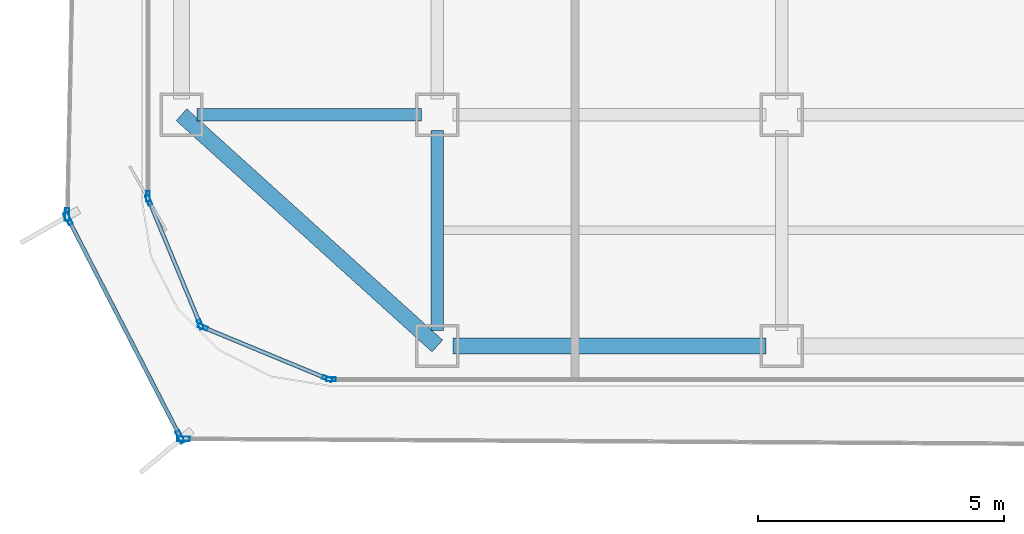
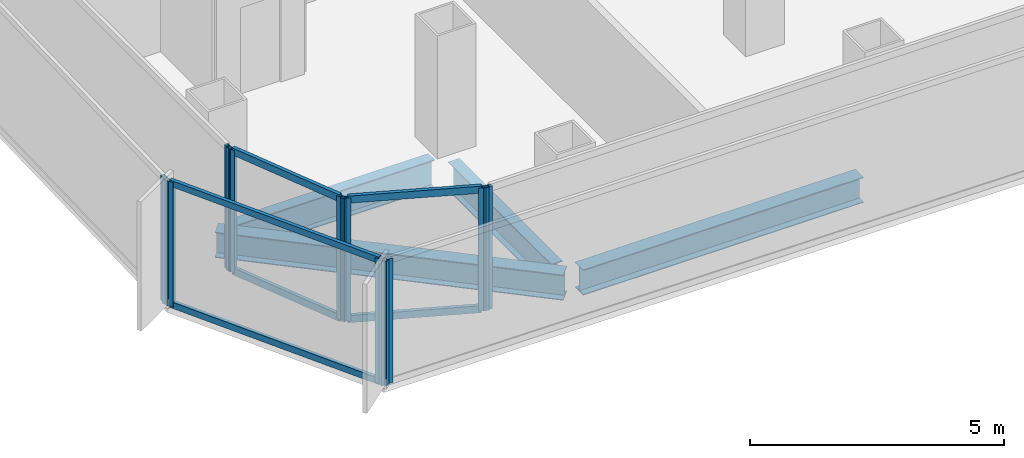
# One storey, part 2 of 21: 16 members, 4 beams, 7 elements without a shape of their own.
"""IFC4 building model written with IfcOpenShell, lengths in metres."""

from ifc_helpers import new_model, si_unit, direction, frame, origin, origin_2d, place, context, subcontext, project, spatial, hollow_rectangle, i_section, extrude, source, transform, mapped, material, layer, layer_set, material_profile, profile_set, type_object, element, aggregate, save


model = new_model("IFC4")

# Units and contexts
model_context = context("Model", 3, precision=1e-05, world=origin(), true_north=direction((0.0, 1.0)))
body_context = subcontext(model_context, "Body", "Model", "MODEL_VIEW")
ifc_project = project(units=[si_unit("LENGTHUNIT", "METRE"), si_unit("AREAUNIT", "SQUARE_METRE"), si_unit("VOLUMEUNIT", "CUBIC_METRE"), si_unit("PLANEANGLEUNIT", "RADIAN"), si_unit("MASSUNIT", "GRAM", prefix="KILO")], contexts=[model_context])

# Site, building, storey
site_placement = place(None, origin())
site = spatial("IfcSite", under=ifc_project, at=site_placement, CompositionType="ELEMENT")
building_placement = place(site_placement, origin())
building = spatial("IfcBuilding", under=site, at=building_placement, Name="Kolveth Station Tower", CompositionType="ELEMENT")
storey_placement = place(building_placement, frame((0.0, 0.0, 137.5)))
storey = spatial("IfcBuildingStorey", under=building, at=storey_placement, Name="L38", CompositionType="ELEMENT", Elevation=137.5)

# Beams
ifc_material_1 = material(Name="Steel S355", Category="steel")
ifc_material_profile_1 = material_profile(ifc_material_1, i_section(OverallWidth=0.323974609375, OverallDepth=0.611083984375, WebThickness=0.0126953125, FlangeThickness=0.01904296875, at=origin_2d()), Name="W610x155")
ifc_profile_set_1 = profile_set([ifc_material_profile_1], Name="Steel S355")
beam_type_1 = type_object("IfcBeamType", Name="Beam_SP2", PredefinedType="SPANDREL", material=ifc_profile_set_1)
shared_shape_1 = source(origin(), body_context, "Body", "SweptSolid", [
    extrude(i_section(OverallWidth=0.323974609375, OverallDepth=0.611083984375, WebThickness=0.0126953125, FlangeThickness=0.01904296875, at=origin_2d()), origin(), (0.0, 0.0, 1.0), 6.35986328125),
])
beam_1_placement = place(storey_placement, frame((6.320068359375, 0.800048828125, -0.555419921875), z_axis=(1.0, 0.0, 0.0), x_axis=(0.0, 1.0, 0.0)))
element("IfcBeam", 1, at=beam_1_placement, inside=storey, type_object=beam_type_1, Name="L38 Perimeter Spandrel BM-L38-PS-1", PredefinedType="SPANDREL", context=body_context, shape_type="MappedRepresentation", body=[
    mapped(shared_shape_1, transform((0.0, 0.0, 0.0), x_axis=(1.0, 0.0, 0.0), y_axis=(0.0, 1.0, 0.0), z_axis=(0.0, 0.0, 1.0), scale=1.0)),
])
shared_shape_2 = source(origin(), body_context, "Body", "SweptSolid", [
    extrude(i_section(OverallWidth=0.323974609375, OverallDepth=0.611083984375, WebThickness=0.0126953125, FlangeThickness=0.01904296875, at=origin_2d()), origin(), (0.0, 0.0, 1.0), 7.00927734375),
])
beam_2_placement = place(storey_placement, frame((0.800048828125, 5.5, -0.555419921875), z_axis=(0.741874009795, -0.670539300557, 0.0), x_axis=(0.670539300557, 0.741874009795, 0.0)))
element("IfcBeam", 2, at=beam_2_placement, inside=storey, type_object=beam_type_1, Name="L38 Corner Edge Girder BM-L38-CNR-SW", PredefinedType="SPANDREL", context=body_context, shape_type="MappedRepresentation", body=[
    mapped(shared_shape_2, transform((0.0, 0.0, 0.0), x_axis=(1.0, 0.0, 0.0), y_axis=(0.0, 1.0, 0.0), z_axis=(0.0, 0.0, 1.0), scale=1.0)),
])
ifc_material_profile_2 = material_profile(ifc_material_1, i_section(OverallWidth=0.25390625, OverallDepth=0.68798828125, WebThickness=0.01318359375, FlangeThickness=0.02099609375, at=origin_2d()), Name="W690x152")
ifc_profile_set_2 = profile_set([ifc_material_profile_2], Name="Steel S355")
beam_type_2 = type_object("IfcBeamType", Name="Beam_B4", PredefinedType="BEAM", material=ifc_profile_set_2)
shared_shape_3 = source(origin(), body_context, "Body", "SweptSolid", [
    extrude(i_section(OverallWidth=0.25390625, OverallDepth=0.68798828125, WebThickness=0.01318359375, FlangeThickness=0.02099609375, at=origin_2d()), origin(), (0.0, 0.0, 1.0), 4.559814453125),
])
beam_3_placement = place(storey_placement, frame((1.1201171875, 5.5, -0.593994140625), z_axis=(1.0, 0.0, 0.0), x_axis=(0.0, 1.0, 0.0)))
element("IfcBeam", 3, at=beam_3_placement, inside=storey, type_object=beam_type_2, Name="L38 Primary Girder BM-L38-GY55-1", PredefinedType="BEAM", context=body_context, shape_type="MappedRepresentation", body=[
    mapped(shared_shape_3, transform((0.0, 0.0, 0.0), x_axis=(1.0, 0.0, 0.0), y_axis=(0.0, 1.0, 0.0), z_axis=(0.0, 0.0, 1.0), scale=1.0)),
])
shared_shape_4 = source(origin(), body_context, "Body", "SweptSolid", [
    extrude(i_section(OverallWidth=0.25390625, OverallDepth=0.68798828125, WebThickness=0.01318359375, FlangeThickness=0.02099609375, at=origin_2d()), origin(), (0.0, 0.0, 1.0), 4.059814453125),
])
beam_4_placement = place(storey_placement, frame((6.0, 1.1201171875, -0.593994140625), z_axis=(0.0, 1.0, 0.0), x_axis=(-1.0, 0.0, 0.0)))
element("IfcBeam", 4, at=beam_4_placement, inside=storey, type_object=beam_type_2, Name="L38 Primary Girder BM-L38-GX60-1", PredefinedType="BEAM", context=body_context, shape_type="MappedRepresentation", body=[
    mapped(shared_shape_4, transform((0.0, 0.0, 0.0), x_axis=(1.0, 0.0, 0.0), y_axis=(0.0, 1.0, 0.0), z_axis=(0.0, 0.0, 1.0), scale=1.0)),
])

# Curtain wall, member
ifc_material_2 = material(Name="Aluminium 6063-T6 and low-E dark glass", Category="aluminium")
ifc_layer_1 = layer(ifc_material_2, 0.18994140625)
ifc_layer_set_1 = layer_set([ifc_layer_1], Name="Aluminium 6063-T6 and low-E dark glass")
curtain_wall_type_1 = type_object("IfcCurtainWallType", Name="CurtainWall_CW-Z2", PredefinedType="NOTDEFINED", material=ifc_layer_set_1)
curtain_wall_1_placement = place(storey_placement, origin())
curtain_wall_1 = element("IfcCurtainWall", 5, at=curtain_wall_1_placement, inside=storey, type_object=curtain_wall_type_1, Name="L38 Inner Thermal Curtain Wall 9", PredefinedType="NOTDEFINED")
ifc_material_3 = material(Name="Black anodized aluminium 6063-T6", Category="aluminium")
ifc_material_profile_3 = material_profile(ifc_material_3, hollow_rectangle(XDim=0.080078125, YDim=0.199951171875, WallThickness=0.0048828125, at=origin_2d()), Name="ALU-80x200x5")
ifc_profile_set_3 = profile_set([ifc_material_profile_3], Name="Black anodized aluminium 6063-T6")
member_type_1 = type_object("IfcMemberType", Name="Mullion_ML2", PredefinedType="MULLION", material=ifc_profile_set_3)
shared_shape_5 = source(origin(), body_context, "Body", "SweptSolid", [
    extrude(hollow_rectangle(XDim=0.080078125, YDim=0.199951171875, WallThickness=0.0048828125, at=origin_2d()), origin(), (0.0, 0.0, 1.0), 2.949951171875),
])
member_1_placement = place(storey_placement, frame((0.1201171875, 3.840087890625, 0.0), z_axis=(0.0, 0.0, 1.0), x_axis=(1.0, 0.0, 0.0)))
member_1 = element("IfcMember", 6, at=member_1_placement, type_object=member_type_1, Name="CW-Z2 mullion 2", PredefinedType="MULLION", context=body_context, shape_type="MappedRepresentation", body=[
    mapped(shared_shape_5, transform((0.0, 0.0, 0.0), x_axis=(1.0, 0.0, 0.0), y_axis=(0.0, 1.0, 0.0), z_axis=(0.0, 0.0, 1.0), scale=1.0)),
])
aggregate(curtain_wall_1, [member_1])

# Curtain wall, members
curtain_wall_2_placement = place(storey_placement, origin())
curtain_wall_2 = element("IfcCurtainWall", 7, at=curtain_wall_2_placement, inside=storey, type_object=curtain_wall_type_1, Name="L38 Inner Thermal Curtain Wall 10", PredefinedType="NOTDEFINED")
member_2_placement = place(storey_placement, frame((0.13525390625, 3.762939453125, 0.0), z_axis=(0.0, 0.0, 1.0), x_axis=(0.923887883787, 0.38266326998, 0.0)))
member_2 = element("IfcMember", 8, at=member_2_placement, type_object=member_type_1, Name="CW-Z2 mullion 1", PredefinedType="MULLION", context=body_context, shape_type="MappedRepresentation", body=[
    mapped(shared_shape_5, transform((0.0, 0.0, 0.0), x_axis=(1.0, 0.0, 0.0), y_axis=(0.0, 1.0, 0.0), z_axis=(0.0, 0.0, 1.0), scale=1.0)),
])
member_3_placement = place(storey_placement, frame((1.182373046875, 1.23486328125, 0.0), z_axis=(0.0, 0.0, 1.0), x_axis=(0.923887883787, 0.38266326998, 0.0)))
member_3 = element("IfcMember", 9, at=member_3_placement, type_object=member_type_1, Name="CW-Z2 mullion 2", PredefinedType="MULLION", context=body_context, shape_type="MappedRepresentation", body=[
    mapped(shared_shape_5, transform((0.0, 0.0, 0.0), x_axis=(1.0, 0.0, 0.0), y_axis=(0.0, 1.0, 0.0), z_axis=(0.0, 0.0, 1.0), scale=1.0)),
])

curtain_wall_3_placement = place(storey_placement, origin())
curtain_wall_3 = element("IfcCurtainWall", 10, at=curtain_wall_3_placement, inside=storey, type_object=curtain_wall_type_1, Name="L38 Inner Thermal Curtain Wall 11", PredefinedType="NOTDEFINED")
member_4_placement = place(storey_placement, frame((1.23486328125, 1.182373046875, 0.0), z_axis=(0.0, 0.0, 1.0), x_axis=(0.38266326998, 0.923887883787, 0.0)))
member_4 = element("IfcMember", 11, at=member_4_placement, type_object=member_type_1, Name="CW-Z2 mullion 1", PredefinedType="MULLION", context=body_context, shape_type="MappedRepresentation", body=[
    mapped(shared_shape_5, transform((0.0, 0.0, 0.0), x_axis=(1.0, 0.0, 0.0), y_axis=(0.0, 1.0, 0.0), z_axis=(0.0, 0.0, 1.0), scale=1.0)),
])
member_5_placement = place(storey_placement, frame((3.762939453125, 0.13525390625, 0.0), z_axis=(0.0, 0.0, 1.0), x_axis=(0.38266326998, 0.923887883787, 0.0)))
member_5 = element("IfcMember", 12, at=member_5_placement, type_object=member_type_1, Name="CW-Z2 mullion 2", PredefinedType="MULLION", context=body_context, shape_type="MappedRepresentation", body=[
    mapped(shared_shape_5, transform((0.0, 0.0, 0.0), x_axis=(1.0, 0.0, 0.0), y_axis=(0.0, 1.0, 0.0), z_axis=(0.0, 0.0, 1.0), scale=1.0)),
])

# Curtain wall, member
curtain_wall_4_placement = place(storey_placement, origin())
curtain_wall_4 = element("IfcCurtainWall", 13, at=curtain_wall_4_placement, inside=storey, type_object=curtain_wall_type_1, Name="L38 Inner Thermal Curtain Wall 12", PredefinedType="NOTDEFINED")
member_6_placement = place(storey_placement, frame((3.840087890625, 0.1201171875, 0.0), z_axis=(0.0, 0.0, 1.0), x_axis=(0.0, 1.0, 0.0)))
member_6 = element("IfcMember", 14, at=member_6_placement, type_object=member_type_1, Name="CW-Z2 mullion 1", PredefinedType="MULLION", context=body_context, shape_type="MappedRepresentation", body=[
    mapped(shared_shape_5, transform((0.0, 0.0, 0.0), x_axis=(1.0, 0.0, 0.0), y_axis=(0.0, 1.0, 0.0), z_axis=(0.0, 0.0, 1.0), scale=1.0)),
])
aggregate(curtain_wall_4, [member_6])

# Member
ifc_material_profile_4 = material_profile(ifc_material_3, hollow_rectangle(XDim=0.080078125, YDim=0.169921875, WallThickness=0.0048828125, at=origin_2d()), Name="ALU-80x170x5")
ifc_profile_set_4 = profile_set([ifc_material_profile_4], Name="Black anodized aluminium 6063-T6")
member_type_2 = type_object("IfcMemberType", Name="Transom_TR2", PredefinedType="USERDEFINED", material=ifc_profile_set_4)
shared_shape_6 = source(origin(), body_context, "Body", "SweptSolid", [
    extrude(hollow_rectangle(XDim=0.080078125, YDim=0.169921875, WallThickness=0.0048828125, at=origin_2d()), origin(), (0.0, 0.0, 1.0), 2.656494140625),
])
member_7_placement = place(storey_placement, frame((0.150634765625, 3.72607421875, 0.0400390625), z_axis=(0.382676455475, -0.923882422403, 0.0), x_axis=(0.923882422403, 0.382676455475, 0.0)))
member_7 = element("IfcMember", 15, at=member_7_placement, type_object=member_type_2, Name="CW-Z2 transom 1.1", ObjectType="TRANSOM", PredefinedType="USERDEFINED", context=body_context, shape_type="MappedRepresentation", body=[
    mapped(shared_shape_6, transform((0.0, 0.0, 0.0), x_axis=(1.0, 0.0, 0.0), y_axis=(0.0, 1.0, 0.0), z_axis=(0.0, 0.0, 1.0), scale=1.0)),
])

member_8_placement = place(storey_placement, frame((0.150634765625, 3.72607421875, 2.909912109375), z_axis=(0.382676455475, -0.923882422403, 0.0), x_axis=(0.923882422403, 0.382676455475, 0.0)))
member_8 = element("IfcMember", 16, at=member_8_placement, type_object=member_type_2, Name="CW-Z2 transom 1.2", ObjectType="TRANSOM", PredefinedType="USERDEFINED", context=body_context, shape_type="MappedRepresentation", body=[
    mapped(shared_shape_6, transform((0.0, 0.0, 0.0), x_axis=(1.0, 0.0, 0.0), y_axis=(0.0, 1.0, 0.0), z_axis=(0.0, 0.0, 1.0), scale=1.0)),
])

aggregate(curtain_wall_2, [member_2, member_3, member_7, member_8])

member_9_placement = place(storey_placement, frame((1.271728515625, 1.167236328125, 0.0400390625), z_axis=(0.923882422403, -0.382676455475, 0.0), x_axis=(0.382676455475, 0.923882422403, 0.0)))
member_9 = element("IfcMember", 17, at=member_9_placement, type_object=member_type_2, Name="CW-Z2 transom 1.1", ObjectType="TRANSOM", PredefinedType="USERDEFINED", context=body_context, shape_type="MappedRepresentation", body=[
    mapped(shared_shape_6, transform((0.0, 0.0, 0.0), x_axis=(1.0, 0.0, 0.0), y_axis=(0.0, 1.0, 0.0), z_axis=(0.0, 0.0, 1.0), scale=1.0)),
])

member_10_placement = place(storey_placement, frame((1.271728515625, 1.167236328125, 2.909912109375), z_axis=(0.923882422403, -0.382676455475, 0.0), x_axis=(0.382676455475, 0.923882422403, 0.0)))
member_10 = element("IfcMember", 18, at=member_10_placement, type_object=member_type_2, Name="CW-Z2 transom 1.2", ObjectType="TRANSOM", PredefinedType="USERDEFINED", context=body_context, shape_type="MappedRepresentation", body=[
    mapped(shared_shape_6, transform((0.0, 0.0, 0.0), x_axis=(1.0, 0.0, 0.0), y_axis=(0.0, 1.0, 0.0), z_axis=(0.0, 0.0, 1.0), scale=1.0)),
])

aggregate(curtain_wall_3, [member_4, member_5, member_9, member_10])

# Curtain wall, member
ifc_material_4 = material(Name="Black anodized aluminium 6063-T6 and dark solar glass", Category="aluminium")
ifc_layer_2 = layer(ifc_material_4, 0.159912109375)
ifc_layer_set_2 = layer_set([ifc_layer_2], Name="Black anodized aluminium 6063-T6 and dark solar glass")
curtain_wall_type_2 = type_object("IfcCurtainWallType", Name="OUTER SKIN CW-OS", PredefinedType="NOTDEFINED", material=ifc_layer_set_2)
curtain_wall_5_placement = place(storey_placement, origin())
curtain_wall_5 = element("IfcCurtainWall", 19, at=curtain_wall_5_placement, inside=storey, type_object=curtain_wall_type_2, Name="L38 Outer Ventilated Skin Curtain Wall 6", PredefinedType="NOTDEFINED")
ifc_material_profile_5 = material_profile(ifc_material_3, hollow_rectangle(XDim=0.090087890625, YDim=0.260009765625, WallThickness=0.0048828125, at=origin_2d()), Name="ALU-90x260x5")
ifc_profile_set_5 = profile_set([ifc_material_profile_5], Name="Black anodized aluminium 6063-T6")
member_type_3 = type_object("IfcMemberType", Name="FIN MULLION ML-OS", PredefinedType="MULLION", material=ifc_profile_set_5)
shared_shape_7 = source(origin(), body_context, "Body", "SweptSolid", [
    extrude(hollow_rectangle(XDim=0.090087890625, YDim=0.260009765625, WallThickness=0.0048828125, at=origin_2d()), origin(), (0.0, 0.0, 1.0), 2.989990234375),
])
member_11_placement = place(storey_placement, frame((-1.524169921875, 3.473388671875, 0.0), z_axis=(0.0, 0.0, 1.0), x_axis=(0.999778349091, -0.021053567138, 0.0)))
member_11 = element("IfcMember", 20, at=member_11_placement, type_object=member_type_3, Name="CW-OS mullion 2", PredefinedType="MULLION", context=body_context, shape_type="MappedRepresentation", body=[
    mapped(shared_shape_7, transform((0.0, 0.0, 0.0), x_axis=(1.0, 0.0, 0.0), y_axis=(0.0, 1.0, 0.0), z_axis=(0.0, 0.0, 1.0), scale=1.0)),
])
aggregate(curtain_wall_5, [member_11])

# Curtain wall, members
curtain_wall_6_placement = place(storey_placement, origin())
curtain_wall_6 = element("IfcCurtainWall", 21, at=curtain_wall_6_placement, inside=storey, type_object=curtain_wall_type_2, Name="L38 Outer Ventilated Skin Curtain Wall 7", PredefinedType="NOTDEFINED")
member_12_placement = place(storey_placement, frame((-1.50439453125, 3.388427734375, 0.0), z_axis=(0.0, 0.0, 1.0), x_axis=(0.889466216863, 0.457000928949, 0.0)))
member_12 = element("IfcMember", 22, at=member_12_placement, type_object=member_type_3, Name="CW-OS mullion 1", PredefinedType="MULLION", context=body_context, shape_type="MappedRepresentation", body=[
    mapped(shared_shape_7, transform((0.0, 0.0, 0.0), x_axis=(1.0, 0.0, 0.0), y_axis=(0.0, 1.0, 0.0), z_axis=(0.0, 0.0, 1.0), scale=1.0)),
])
member_13_placement = place(storey_placement, frame((0.775146484375, -1.048583984375, 0.0), z_axis=(0.0, 0.0, 1.0), x_axis=(0.889466216863, 0.457000928949, 0.0)))
member_13 = element("IfcMember", 23, at=member_13_placement, type_object=member_type_3, Name="CW-OS mullion 2", PredefinedType="MULLION", context=body_context, shape_type="MappedRepresentation", body=[
    mapped(shared_shape_7, transform((0.0, 0.0, 0.0), x_axis=(1.0, 0.0, 0.0), y_axis=(0.0, 1.0, 0.0), z_axis=(0.0, 0.0, 1.0), scale=1.0)),
])

# Curtain wall, member
curtain_wall_7_placement = place(storey_placement, origin())
curtain_wall_7 = element("IfcCurtainWall", 24, at=curtain_wall_7_placement, inside=storey, type_object=curtain_wall_type_2, Name="L38 Outer Ventilated Skin Curtain Wall 8", PredefinedType="NOTDEFINED")
member_14_placement = place(storey_placement, frame((0.8408203125, -1.0888671875, 0.0), z_axis=(0.0, 0.0, 1.0), x_axis=(0.005901762955, 0.999982584445, 0.0)))
member_14 = element("IfcMember", 25, at=member_14_placement, type_object=member_type_3, Name="CW-OS mullion 1", PredefinedType="MULLION", context=body_context, shape_type="MappedRepresentation", body=[
    mapped(shared_shape_7, transform((0.0, 0.0, 0.0), x_axis=(1.0, 0.0, 0.0), y_axis=(0.0, 1.0, 0.0), z_axis=(0.0, 0.0, 1.0), scale=1.0)),
])
aggregate(curtain_wall_7, [member_14])

# Member
ifc_material_profile_6 = material_profile(ifc_material_3, hollow_rectangle(XDim=0.080078125, YDim=0.14990234375, WallThickness=0.0048828125, at=origin_2d()), Name="ALU-80x150x5")
ifc_profile_set_6 = profile_set([ifc_material_profile_6], Name="Black anodized aluminium 6063-T6")
member_type_4 = type_object("IfcMemberType", Name="Transom_TR-OS", PredefinedType="USERDEFINED", material=ifc_profile_set_6)
shared_shape_8 = source(origin(), body_context, "Body", "SweptSolid", [
    extrude(hollow_rectangle(XDim=0.080078125, YDim=0.14990234375, WallThickness=0.0048828125, at=origin_2d()), origin(), (0.0, 0.0, 1.0), 4.8984375),
])
member_15_placement = place(storey_placement, frame((-1.48388671875, 3.348388671875, 0.0400390625), z_axis=(0.456995483366, -0.88946901474, 0.0), x_axis=(0.88946901474, 0.456995483366, 0.0)))
member_15 = element("IfcMember", 26, at=member_15_placement, type_object=member_type_4, Name="CW-OS transom 1.1", ObjectType="TRANSOM", PredefinedType="USERDEFINED", context=body_context, shape_type="MappedRepresentation", body=[
    mapped(shared_shape_8, transform((0.0, 0.0, 0.0), x_axis=(1.0, 0.0, 0.0), y_axis=(0.0, 1.0, 0.0), z_axis=(0.0, 0.0, 1.0), scale=1.0)),
])

member_16_placement = place(storey_placement, frame((-1.48388671875, 3.348388671875, 2.949951171875), z_axis=(0.456995483366, -0.88946901474, 0.0), x_axis=(0.88946901474, 0.456995483366, 0.0)))
member_16 = element("IfcMember", 27, at=member_16_placement, type_object=member_type_4, Name="CW-OS transom 1.2", ObjectType="TRANSOM", PredefinedType="USERDEFINED", context=body_context, shape_type="MappedRepresentation", body=[
    mapped(shared_shape_8, transform((0.0, 0.0, 0.0), x_axis=(1.0, 0.0, 0.0), y_axis=(0.0, 1.0, 0.0), z_axis=(0.0, 0.0, 1.0), scale=1.0)),
])

aggregate(curtain_wall_6, [member_12, member_13, member_15, member_16])

save(model, "model.ifc")
